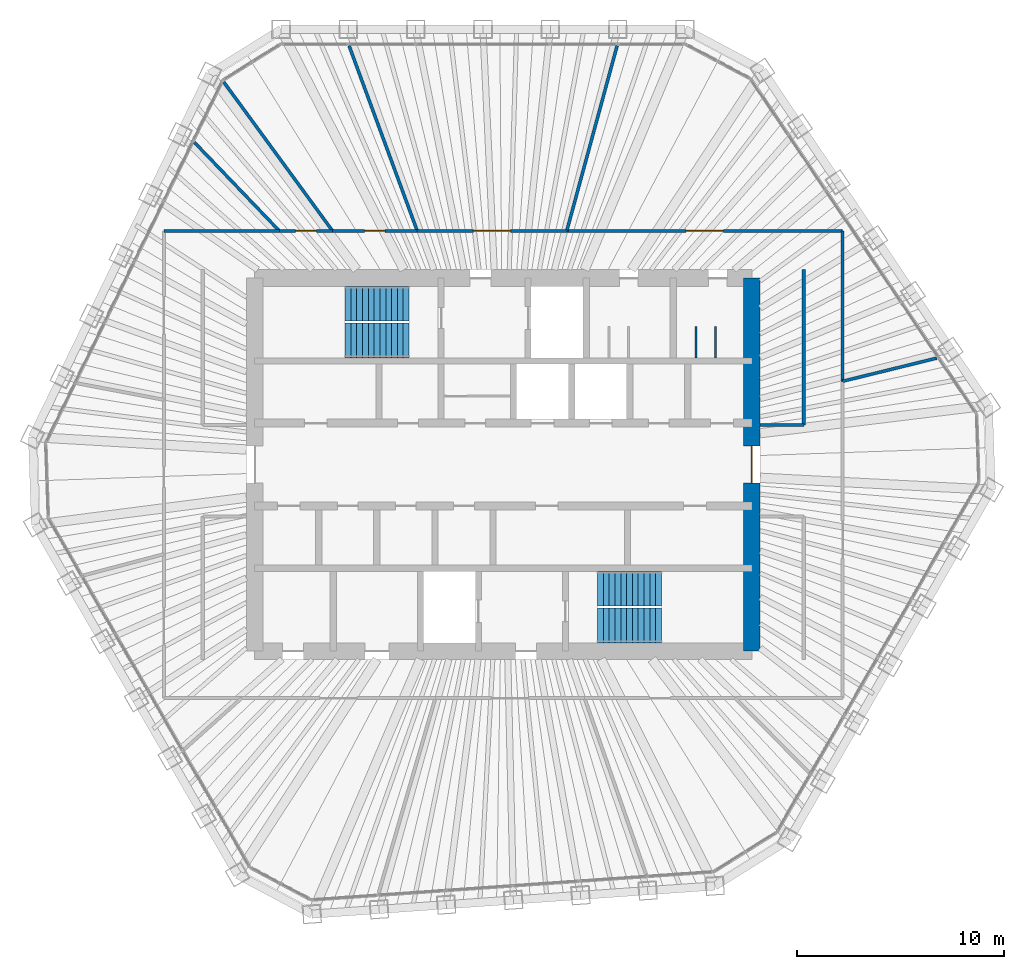
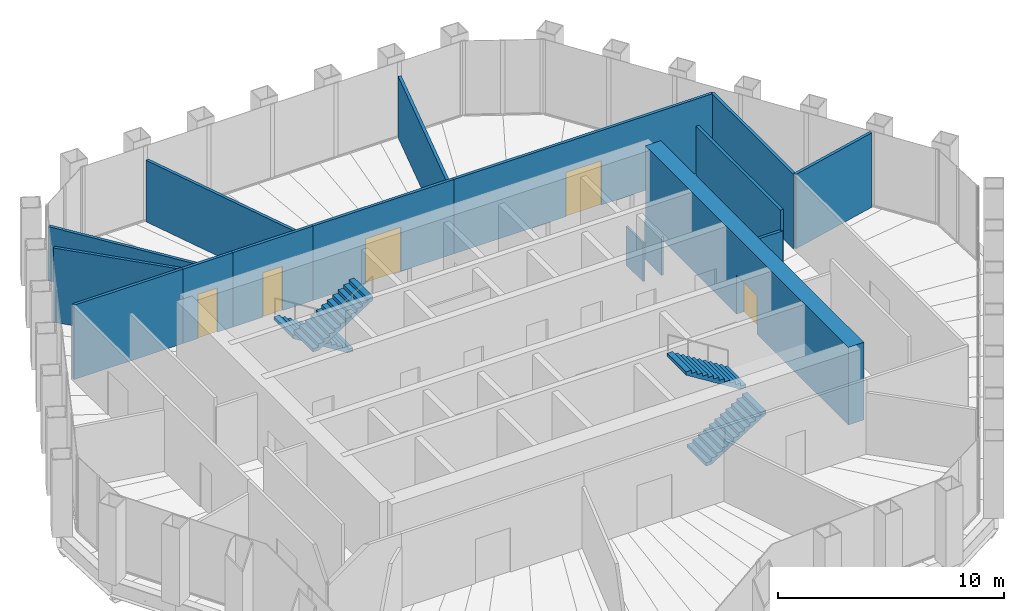
# One storey, part 13 of 14: 16 walls, 5 doors, 4 stair flights, 5 openings, 2 elements without a shape of their own.
"""IFC4 building model written with IfcOpenShell, lengths in metres."""

from ifc_helpers import new_model, si_unit, direction, frame, frame_2d, origin, place, context, subcontext, project, spatial, polyline, rectangle, outline, extrude, material, layer, layer_set, type_object, element, fill, aggregate, save


model = new_model("IFC4")

# Units and contexts
model_context = context("Model", 3, precision=1e-05, world=origin(), true_north=direction((0.0, 1.0)))
body_context = subcontext(model_context, "Body", "Model", "MODEL_VIEW")
ifc_project = project(units=[si_unit("LENGTHUNIT", "METRE"), si_unit("AREAUNIT", "SQUARE_METRE"), si_unit("VOLUMEUNIT", "CUBIC_METRE"), si_unit("PLANEANGLEUNIT", "RADIAN"), si_unit("MASSUNIT", "GRAM", prefix="KILO")], contexts=[model_context])

# Site, building, storey
site_placement = place(None, origin())
site = spatial("IfcSite", under=ifc_project, at=site_placement, CompositionType="ELEMENT")
building_placement = place(site_placement, origin())
building = spatial("IfcBuilding", under=site, at=building_placement, Name="Qingtian Harvest Tower", CompositionType="ELEMENT")
storey_placement = place(building_placement, frame((0.0, 0.0, 320.800048828125)))
storey = spatial("IfcBuildingStorey", under=building, at=storey_placement, Name="L71", CompositionType="ELEMENT", Elevation=320.800048828125)

# Wall, opening, door
ifc_material_1 = material(Name="Concrete fc' 70 MPa", Category="concrete")
ifc_layer_1 = layer(ifc_material_1, 0.800048828125)
ifc_layer_set_1 = layer_set([ifc_layer_1], Name="Core wall RC4 800")
wall_type_1 = type_object("IfcWallType", Name="Core wall RC4 800", PredefinedType="SHEAR", material=ifc_layer_set_1)
wall_1_placement = place(storey_placement, frame((12.0, -9.0, 0.0), z_axis=(0.0, 0.0, 1.0), x_axis=(0.0, 1.0, 0.0)))
wall_1 = element("IfcWall", 1, at=wall_1_placement, inside=storey, type_object=wall_type_1, Name="Core wall CE L71", PredefinedType="SHEAR", context=body_context, shape_type="SweptSolid", body=[
    extrude(rectangle(XDim=18.0, YDim=0.800048828125, at=frame_2d((9.0, 0.0))), origin(), (0.0, 0.0, 1.0), 4.199951171875),
])
opening_1_placement = place(wall_1_placement, frame((8.10009765625, 0.0, 0.0)))
opening_1 = element("IfcOpeningElement", 2, at=opening_1_placement, cuts=wall_1, Name="Opening FD2", PredefinedType="OPENING", context=body_context, shape_type="SweptSolid", body=[
    extrude(rectangle(XDim=1.800048828125, YDim=2.10009765625, at=frame_2d((0.89990234375, 1.050048828125))), frame((0.0, 0.409912109375, 0.0), z_axis=(0.0, -1.0, 0.0), x_axis=(1.0, 0.0, 0.0)), (0.0, 0.0, 1.0), 0.820068359375),
])
ifc_material_2 = material(Name="Steel-faced door leaf", Category="steel")
door_type_1 = type_object("IfcDoorType", Name="Fire door FD2 double 1 HR", OperationType="DOUBLE_DOOR_DOUBLE_SWING", PredefinedType="DOOR", material=ifc_material_2)
door_1_placement = place(opening_1_placement, origin())
door_1 = element("IfcDoor", 3, at=door_1_placement, inside=storey, type_object=door_type_1, Name="LOBBY-E door L71", OperationType="DOUBLE_DOOR_DOUBLE_SWING", OverallHeight=2.10009765625, OverallWidth=1.800048828125, PredefinedType="DOOR", context=body_context, shape_type="SweptSolid", body=[
    extrude(rectangle(XDim=1.800048828125, YDim=2.10009765625, at=frame_2d((0.89990234375, 1.050048828125))), frame((0.0, 0.02490234375, 0.0), z_axis=(0.0, -1.0, 0.0), x_axis=(1.0, 0.0, 0.0)), (0.0, 0.0, 1.0), 0.050048828125),
])
fill(opening_1, door_1)

# Wall
ifc_material_3 = material(Name="Gypsum board on steel studs", Category="steel")
ifc_layer_2 = layer(ifc_material_3, 0.14990234375)
ifc_layer_set_2 = layer_set([ifc_layer_2], Name="Partition PT1 150")
wall_type_2 = type_object("IfcWallType", Name="Partition PT1 150", PredefinedType="PARTITIONING", material=ifc_layer_set_2)
wall_2_placement = place(storey_placement, frame((5.49169921875, 20.20361328125, 0.0), z_axis=(0.0, 0.0, 1.0), x_axis=(-0.262302393053, -0.964985727666, 0.0)))
element("IfcWall", 4, at=wall_2_placement, inside=storey, type_object=wall_type_2, Name="Club lounge wall L71", PredefinedType="PARTITIONING", context=body_context, shape_type="SweptSolid", body=[
    extrude(rectangle(XDim=9.252685546875, YDim=0.14990234375, at=frame_2d((4.62646484375, 0.0))), origin(), (0.0, 0.0, 1.0), 3.329833984375),
])

# Wall, opening, door
wall_3_placement = place(storey_placement, frame((3.064697265625, 11.27490234375, 0.0), z_axis=(0.0, 0.0, 1.0), x_axis=(1.0, 0.0, 0.0)))
wall_3 = element("IfcWall", 5, at=wall_3_placement, inside=storey, type_object=wall_type_2, Name="Club lounge wall L71", PredefinedType="PARTITIONING", context=body_context, shape_type="SweptSolid", body=[
    extrude(rectangle(XDim=13.310302734375, YDim=0.14990234375, at=frame_2d((6.6552734375, 0.0))), origin(), (0.0, 0.0, 1.0), 4.030029296875),
])
opening_2_placement = place(wall_3_placement, frame((5.755126953125, 0.0, 0.0)))
opening_2 = element("IfcOpeningElement", 6, at=opening_2_placement, cuts=wall_3, Name="Opening D3", PredefinedType="OPENING", context=body_context, shape_type="SweptSolid", body=[
    extrude(rectangle(XDim=1.800048828125, YDim=2.39990234375, at=frame_2d((0.89990234375, 1.199951171875))), frame((0.0, 0.0849609375, 0.0), z_axis=(0.0, -1.0, 0.0), x_axis=(1.0, 0.0, 0.0)), (0.0, 0.0, 1.0), 0.169921875),
])
ifc_material_4 = material(Name="Laminated timber door leaf", Category="wood")
door_type_2 = type_object("IfcDoorType", Name="Room door D3 double", OperationType="DOUBLE_DOOR_DOUBLE_SWING", PredefinedType="DOOR", material=ifc_material_4)
door_2_placement = place(opening_2_placement, origin())
door_2 = element("IfcDoor", 7, at=door_2_placement, inside=storey, type_object=door_type_2, Name="Club lounge door L71", OperationType="DOUBLE_DOOR_DOUBLE_SWING", OverallHeight=2.39990234375, OverallWidth=1.800048828125, PredefinedType="DOOR", context=body_context, shape_type="SweptSolid", body=[
    extrude(rectangle(XDim=1.800048828125, YDim=2.39990234375, at=frame_2d((0.89990234375, 1.199951171875))), frame((0.0, 0.02490234375, 0.0), z_axis=(0.0, -1.0, 0.0), x_axis=(1.0, 0.0, 0.0)), (0.0, 0.0, 1.0), 0.050048828125),
])
fill(opening_2, door_2)

# Walls
wall_4_placement = place(storey_placement, frame((16.375, 11.27490234375, 0.0), z_axis=(0.0, 0.0, 1.0), x_axis=(0.0, -1.0, 0.0)))
element("IfcWall", 8, at=wall_4_placement, inside=storey, type_object=wall_type_2, Name="Club lounge wall L71", PredefinedType="PARTITIONING", context=body_context, shape_type="SweptSolid", body=[
    extrude(rectangle(XDim=7.2568359375, YDim=0.14990234375, at=frame_2d((3.62841796875, 0.0))), origin(), (0.0, 0.0, 1.0), 4.030029296875),
])
wall_5_placement = place(storey_placement, frame((20.911865234375, 5.13134765625, 0.0), z_axis=(0.0, 0.0, 1.0), x_axis=(-0.97118779717, -0.238315468713, 0.0)))
element("IfcWall", 9, at=wall_5_placement, inside=storey, type_object=wall_type_2, Name="Club dining room wall L71", PredefinedType="PARTITIONING", context=body_context, shape_type="SweptSolid", body=[
    extrude(rectangle(XDim=4.67138671875, YDim=0.14990234375, at=frame_2d((2.335693359375, 0.0))), origin(), (0.0, 0.0, 1.0), 4.030029296875),
])
wall_6_placement = place(storey_placement, frame((-16.375, 11.27490234375, 0.0), z_axis=(0.0, 0.0, 1.0), x_axis=(1.0, 0.0, 0.0)))
element("IfcWall", 10, at=wall_6_placement, inside=storey, type_object=wall_type_2, Name="Club library wall L71", PredefinedType="PARTITIONING", context=body_context, shape_type="SweptSolid", body=[
    extrude(rectangle(XDim=5.567626953125, YDim=0.14990234375, at=frame_2d((2.78369140625, 0.0))), origin(), (0.0, 0.0, 1.0), 4.030029296875),
])
wall_7_placement = place(storey_placement, frame((-14.89990234375, 15.54443359375, 0.0), z_axis=(0.0, 0.0, 1.0), x_axis=(0.691984258941, -0.72191258846, 0.0)))
element("IfcWall", 11, at=wall_7_placement, inside=storey, type_object=wall_type_2, Name="Manager's office wall L71", PredefinedType="PARTITIONING", context=body_context, shape_type="SweptSolid", body=[
    extrude(rectangle(XDim=5.914306640625, YDim=0.14990234375, at=frame_2d((2.95703125, 0.0))), origin(), (0.0, 0.0, 1.0), 4.030029296875),
])

# Wall, opening, door
wall_8_placement = place(storey_placement, frame((-10.807373046875, 11.27490234375, 0.0), z_axis=(0.0, 0.0, 1.0), x_axis=(1.0, 0.0, 0.0)))
wall_8 = element("IfcWall", 12, at=wall_8_placement, inside=storey, type_object=wall_type_2, Name="Manager's office wall L71", PredefinedType="PARTITIONING", context=body_context, shape_type="SweptSolid", body=[
    extrude(rectangle(XDim=2.568115234375, YDim=0.14990234375, at=frame_2d((1.2841796875, 0.0))), origin(), (0.0, 0.0, 1.0), 4.030029296875),
])
opening_3_placement = place(wall_8_placement, frame((0.7841796875, 0.0, 0.0)))
opening_3 = element("IfcOpeningElement", 13, at=opening_3_placement, cuts=wall_8, Name="Opening D2", PredefinedType="OPENING", context=body_context, shape_type="SweptSolid", body=[
    extrude(rectangle(XDim=1.0, YDim=2.39990234375, at=frame_2d((0.5, 1.199951171875))), frame((0.0, 0.0849609375, 0.0), z_axis=(0.0, -1.0, 0.0), x_axis=(1.0, 0.0, 0.0)), (0.0, 0.0, 1.0), 0.169921875),
])
ifc_material_5 = material(Name="Laminated timber door leaf", Category="wood")
door_type_3 = type_object("IfcDoorType", Name="Room door D2 single", OperationType="SINGLE_SWING_LEFT", PredefinedType="DOOR", material=ifc_material_5)
door_3_placement = place(opening_3_placement, origin())
door_3 = element("IfcDoor", 14, at=door_3_placement, inside=storey, type_object=door_type_3, Name="Manager's office door L71", OperationType="SINGLE_SWING_RIGHT", OverallHeight=2.39990234375, OverallWidth=1.0, PredefinedType="DOOR", context=body_context, shape_type="SweptSolid", body=[
    extrude(rectangle(XDim=1.0, YDim=2.39990234375, at=frame_2d((0.5, 1.199951171875))), frame((0.0, 0.02490234375, 0.0), z_axis=(0.0, -1.0, 0.0), x_axis=(1.0, 0.0, 0.0)), (0.0, 0.0, 1.0), 0.050048828125),
])
fill(opening_3, door_3)

# Wall
wall_9_placement = place(storey_placement, frame((-13.486083984375, 18.455322265625, 0.0), z_axis=(0.0, 0.0, 1.0), x_axis=(0.589986991866, -0.80741275035, 0.0)))
element("IfcWall", 15, at=wall_9_placement, inside=storey, type_object=wall_type_2, Name="Membership office wall L71", PredefinedType="PARTITIONING", context=body_context, shape_type="SweptSolid", body=[
    extrude(rectangle(XDim=8.89306640625, YDim=0.14990234375, at=frame_2d((4.446533203125, 0.0))), origin(), (0.0, 0.0, 1.0), 2.929931640625),
])

# Wall, opening, door
wall_10_placement = place(storey_placement, frame((-8.2392578125, 11.27490234375, 0.0), z_axis=(0.0, 0.0, 1.0), x_axis=(1.0, 0.0, 0.0)))
wall_10 = element("IfcWall", 16, at=wall_10_placement, inside=storey, type_object=wall_type_2, Name="Membership office wall L71", PredefinedType="PARTITIONING", context=body_context, shape_type="SweptSolid", body=[
    extrude(rectangle(XDim=4.087890625, YDim=0.14990234375, at=frame_2d((2.0439453125, 0.0))), origin(), (0.0, 0.0, 1.0), 4.030029296875),
])
opening_4_placement = place(wall_10_placement, frame((1.5439453125, 0.0, 0.0)))
opening_4 = element("IfcOpeningElement", 17, at=opening_4_placement, cuts=wall_10, Name="Opening D2", PredefinedType="OPENING", context=body_context, shape_type="SweptSolid", body=[
    extrude(rectangle(XDim=1.0, YDim=2.39990234375, at=frame_2d((0.5, 1.199951171875))), frame((0.0, 0.0849609375, 0.0), z_axis=(0.0, -1.0, 0.0), x_axis=(1.0, 0.0, 0.0)), (0.0, 0.0, 1.0), 0.169921875),
])
door_4_placement = place(opening_4_placement, origin())
door_4 = element("IfcDoor", 18, at=door_4_placement, inside=storey, type_object=door_type_3, Name="Membership office door L71", OperationType="SINGLE_SWING_RIGHT", OverallHeight=2.39990234375, OverallWidth=1.0, PredefinedType="DOOR", context=body_context, shape_type="SweptSolid", body=[
    extrude(rectangle(XDim=1.0, YDim=2.39990234375, at=frame_2d((0.5, 1.199951171875))), frame((0.0, 0.02490234375, 0.0), z_axis=(0.0, -1.0, 0.0), x_axis=(1.0, 0.0, 0.0)), (0.0, 0.0, 1.0), 0.050048828125),
])
fill(opening_4, door_4)

# Wall
wall_11_placement = place(storey_placement, frame((-7.439697265625, 20.2060546875, 0.0), z_axis=(0.0, 0.0, 1.0), x_axis=(0.345511582319, -0.93841448544, 0.0)))
element("IfcWall", 19, at=wall_11_placement, inside=storey, type_object=wall_type_2, Name="Club bar wall L71", PredefinedType="PARTITIONING", context=body_context, shape_type="SweptSolid", body=[
    extrude(rectangle(XDim=9.517333984375, YDim=0.14990234375, at=frame_2d((4.7587890625, 0.0))), origin(), (0.0, 0.0, 1.0), 3.329833984375),
])

# Wall, opening, door
wall_12_placement = place(storey_placement, frame((-4.1513671875, 11.27490234375, 0.0), z_axis=(0.0, 0.0, 1.0), x_axis=(1.0, 0.0, 0.0)))
wall_12 = element("IfcWall", 20, at=wall_12_placement, inside=storey, type_object=wall_type_2, Name="Club bar wall L71", PredefinedType="PARTITIONING", context=body_context, shape_type="SweptSolid", body=[
    extrude(rectangle(XDim=7.216064453125, YDim=0.14990234375, at=frame_2d((3.60791015625, 0.0))), origin(), (0.0, 0.0, 1.0), 4.030029296875),
])
opening_5_placement = place(wall_12_placement, frame((2.7080078125, 0.0, 0.0)))
opening_5 = element("IfcOpeningElement", 21, at=opening_5_placement, cuts=wall_12, Name="Opening D3", PredefinedType="OPENING", context=body_context, shape_type="SweptSolid", body=[
    extrude(rectangle(XDim=1.800048828125, YDim=2.39990234375, at=frame_2d((0.89990234375, 1.199951171875))), frame((0.0, 0.0849609375, 0.0), z_axis=(0.0, -1.0, 0.0), x_axis=(1.0, 0.0, 0.0)), (0.0, 0.0, 1.0), 0.169921875),
])
door_5_placement = place(opening_5_placement, origin())
door_5 = element("IfcDoor", 22, at=door_5_placement, inside=storey, type_object=door_type_2, Name="Club bar door L71", OperationType="DOUBLE_DOOR_DOUBLE_SWING", OverallHeight=2.39990234375, OverallWidth=1.800048828125, PredefinedType="DOOR", context=body_context, shape_type="SweptSolid", body=[
    extrude(rectangle(XDim=1.800048828125, YDim=2.39990234375, at=frame_2d((0.89990234375, 1.199951171875))), frame((0.0, 0.02490234375, 0.0), z_axis=(0.0, -1.0, 0.0), x_axis=(1.0, 0.0, 0.0)), (0.0, 0.0, 1.0), 0.050048828125),
])
fill(opening_5, door_5)

# Walls
wall_13_placement = place(storey_placement, frame((14.5, 1.89990234375, 0.0), z_axis=(0.0, 0.0, 1.0), x_axis=(0.0, 1.0, 0.0)))
element("IfcWall", 23, at=wall_13_placement, inside=storey, type_object=wall_type_2, Name="Coffee point wall L71", PredefinedType="PARTITIONING", context=body_context, shape_type="SweptSolid", body=[
    extrude(rectangle(XDim=7.5, YDim=0.14990234375, at=frame_2d((3.75, 0.0))), origin(), (0.0, 0.0, 1.0), 4.030029296875),
])
wall_14_placement = place(storey_placement, frame((12.39990234375, 1.89990234375, 0.0), z_axis=(0.0, 0.0, 1.0), x_axis=(1.0, 0.0, 0.0)))
element("IfcWall", 24, at=wall_14_placement, inside=storey, type_object=wall_type_2, Name="Coffee point wall L71", PredefinedType="PARTITIONING", context=body_context, shape_type="SweptSolid", body=[
    extrude(rectangle(XDim=2.10009765625, YDim=0.14990234375, at=frame_2d((1.050048828125, 0.0))), origin(), (0.0, 0.0, 1.0), 2.929931640625),
])
ifc_material_6 = material(Name="Compact laminate cubicle partition", Category="plastic")
ifc_layer_3 = layer(ifc_material_6, 0.10009765625)
ifc_layer_set_3 = layer_set([ifc_layer_3], Name="WC cubicle partition WP1 100")
wall_type_3 = type_object("IfcWallType", Name="WC cubicle partition WP1 100", PredefinedType="PARTITIONING", material=ifc_layer_set_3)
for number, where, z_axis, x_axis, name in (
    (25, (9.300048828125, 5.14990234375, 0.0), (0.0, 0.0, 1.0), (0.0, 1.0, 0.0), "WC cubicle partition WCF L71"),
    (26, (10.25, 5.14990234375, 0.0), (0.0, 0.0, 1.0), (0.0, 1.0, 0.0), "WC cubicle partition WCF L71"),
):
    element("IfcWall", number, at=place(storey_placement, frame(where, z_axis=z_axis, x_axis=x_axis)), inside=storey, type_object=wall_type_3, Name=name, PredefinedType="PARTITIONING", context=body_context, shape_type="SweptSolid", body=[
        extrude(rectangle(XDim=1.5, YDim=0.10009765625, at=frame_2d((0.75, 0.0))), origin(), (0.0, 0.0, 1.0), 2.099853515625),
    ])

# Stair, stair flights
ifc_material_7 = material(Name="Concrete fc' 35 MPa", Category="concrete")
stair_type = type_object("IfcStairType", Name="Special stair ST7 4200", PredefinedType="HALF_TURN_STAIR", material=ifc_material_7)
stair_1_placement = place(storey_placement, origin())
stair_1 = element("IfcStair", 27, at=stair_1_placement, inside=storey, type_object=stair_type, Name="Special stair S1 L71", PredefinedType="HALF_TURN_STAIR")
ifc_material_8 = material(Name="Concrete fc' 35 MPa", Category="concrete")
stair_flight_type = type_object("IfcStairFlightType", Name="Stair flight SF7 4200", PredefinedType="STRAIGHT", material=ifc_material_8)
stair_flight_1_placement = place(storey_placement, frame((-4.550048828125, 7.762451171875, 0.0), z_axis=(0.0, 0.0, 1.0), x_axis=(-1.0, 0.0, 0.0)))
stair_flight_1 = element("IfcStairFlight", 28, at=stair_flight_1_placement, type_object=stair_flight_type, Name="S1 flight 1", NumberOfRisers=12, NumberOfTreads=11, PredefinedType="STRAIGHT", RiserHeight=0.175, TreadLength=0.28, context=body_context, shape_type="SweptSolid", body=[
    extrude(outline(polyline([(0.0, 0.0), (0.0, 0.175048828125), (0.280029296875, 0.175048828125), (0.280029296875, 0.35009765625), (0.56005859375, 0.35009765625), (0.56005859375, 0.52490234375), (0.840087890625, 0.52490234375), (0.840087890625, 0.699951171875), (1.1201171875, 0.699951171875), (1.1201171875, 0.875), (1.39990234375, 0.875), (1.39990234375, 1.050048828125), (1.679931640625, 1.050048828125), (1.679931640625, 1.22509765625), (1.9599609375, 1.22509765625), (1.9599609375, 1.39990234375), (2.239990234375, 1.39990234375), (2.239990234375, 1.574951171875), (2.52001953125, 1.574951171875), (2.52001953125, 1.75), (2.800048828125, 1.75), (2.800048828125, 1.925048828125), (3.080078125, 1.925048828125), (3.080078125, 2.10009765625), (3.080078125, 1.748291015625), (0.28271484375, 0.0), (0.0, 0.0)])), frame((0.0, 0.83740234375, 0.0), z_axis=(0.0, -1.0, 0.0), x_axis=(1.0, 0.0, 0.0)), (0.0, 0.0, 1.0), 1.675048828125),
])
stair_flight_2_placement = place(storey_placement, frame((-7.6298828125, 5.987548828125, 2.099853515625), z_axis=(0.0, 0.0, 1.0), x_axis=(1.0, 0.0, 0.0)))
stair_flight_2 = element("IfcStairFlight", 29, at=stair_flight_2_placement, type_object=stair_flight_type, Name="S1 flight 2", NumberOfRisers=12, NumberOfTreads=11, PredefinedType="STRAIGHT", RiserHeight=0.175, TreadLength=0.28, context=body_context, shape_type="SweptSolid", body=[
    extrude(outline(polyline([(0.0, 0.0), (0.0, 0.175048828125), (0.280029296875, 0.175048828125), (0.280029296875, 0.35009765625), (0.56005859375, 0.35009765625), (0.56005859375, 0.52490234375), (0.840087890625, 0.52490234375), (0.840087890625, 0.699951171875), (1.1201171875, 0.699951171875), (1.1201171875, 0.875), (1.39990234375, 0.875), (1.39990234375, 1.050048828125), (1.679931640625, 1.050048828125), (1.679931640625, 1.22509765625), (1.9599609375, 1.22509765625), (1.9599609375, 1.39990234375), (2.239990234375, 1.39990234375), (2.239990234375, 1.574951171875), (2.52001953125, 1.574951171875), (2.52001953125, 1.75), (2.800048828125, 1.75), (2.800048828125, 1.925048828125), (3.080078125, 1.925048828125), (3.080078125, 2.10009765625), (3.080078125, 1.748291015625), (0.28271484375, 0.0), (0.0, 0.0)])), frame((0.0, 0.83740234375, 0.0), z_axis=(0.0, -1.0, 0.0), x_axis=(1.0, 0.0, 0.0)), (0.0, 0.0, 1.0), 1.675048828125),
])
aggregate(stair_1, [stair_flight_1, stair_flight_2])

stair_2_placement = place(storey_placement, origin())
stair_2 = element("IfcStair", 30, at=stair_2_placement, inside=storey, type_object=stair_type, Name="Special stair S2 L71", PredefinedType="HALF_TURN_STAIR")
stair_flight_3_placement = place(storey_placement, frame((4.550048828125, -7.762451171875, 0.0), z_axis=(0.0, 0.0, 1.0), x_axis=(1.0, 0.0, 0.0)))
stair_flight_3 = element("IfcStairFlight", 31, at=stair_flight_3_placement, type_object=stair_flight_type, Name="S2 flight 1", NumberOfRisers=12, NumberOfTreads=11, PredefinedType="STRAIGHT", RiserHeight=0.175, TreadLength=0.28, context=body_context, shape_type="SweptSolid", body=[
    extrude(outline(polyline([(0.0, 0.0), (0.0, 0.175048828125), (0.280029296875, 0.175048828125), (0.280029296875, 0.35009765625), (0.56005859375, 0.35009765625), (0.56005859375, 0.52490234375), (0.840087890625, 0.52490234375), (0.840087890625, 0.699951171875), (1.1201171875, 0.699951171875), (1.1201171875, 0.875), (1.39990234375, 0.875), (1.39990234375, 1.050048828125), (1.679931640625, 1.050048828125), (1.679931640625, 1.22509765625), (1.9599609375, 1.22509765625), (1.9599609375, 1.39990234375), (2.239990234375, 1.39990234375), (2.239990234375, 1.574951171875), (2.52001953125, 1.574951171875), (2.52001953125, 1.75), (2.800048828125, 1.75), (2.800048828125, 1.925048828125), (3.080078125, 1.925048828125), (3.080078125, 2.10009765625), (3.080078125, 1.748291015625), (0.28271484375, 0.0), (0.0, 0.0)])), frame((0.0, 0.83740234375, 0.0), z_axis=(0.0, -1.0, 0.0), x_axis=(1.0, 0.0, 0.0)), (0.0, 0.0, 1.0), 1.675048828125),
])
stair_flight_4_placement = place(storey_placement, frame((7.6298828125, -5.987548828125, 2.099853515625), z_axis=(0.0, 0.0, 1.0), x_axis=(-1.0, 0.0, 0.0)))
stair_flight_4 = element("IfcStairFlight", 32, at=stair_flight_4_placement, type_object=stair_flight_type, Name="S2 flight 2", NumberOfRisers=12, NumberOfTreads=11, PredefinedType="STRAIGHT", RiserHeight=0.175, TreadLength=0.28, context=body_context, shape_type="SweptSolid", body=[
    extrude(outline(polyline([(0.0, 0.0), (0.0, 0.175048828125), (0.280029296875, 0.175048828125), (0.280029296875, 0.35009765625), (0.56005859375, 0.35009765625), (0.56005859375, 0.52490234375), (0.840087890625, 0.52490234375), (0.840087890625, 0.699951171875), (1.1201171875, 0.699951171875), (1.1201171875, 0.875), (1.39990234375, 0.875), (1.39990234375, 1.050048828125), (1.679931640625, 1.050048828125), (1.679931640625, 1.22509765625), (1.9599609375, 1.22509765625), (1.9599609375, 1.39990234375), (2.239990234375, 1.39990234375), (2.239990234375, 1.574951171875), (2.52001953125, 1.574951171875), (2.52001953125, 1.75), (2.800048828125, 1.75), (2.800048828125, 1.925048828125), (3.080078125, 1.925048828125), (3.080078125, 2.10009765625), (3.080078125, 1.748291015625), (0.28271484375, 0.0), (0.0, 0.0)])), frame((0.0, 0.83740234375, 0.0), z_axis=(0.0, -1.0, 0.0), x_axis=(1.0, 0.0, 0.0)), (0.0, 0.0, 1.0), 1.675048828125),
])
aggregate(stair_2, [stair_flight_3, stair_flight_4])

save(model, "model.ifc")
